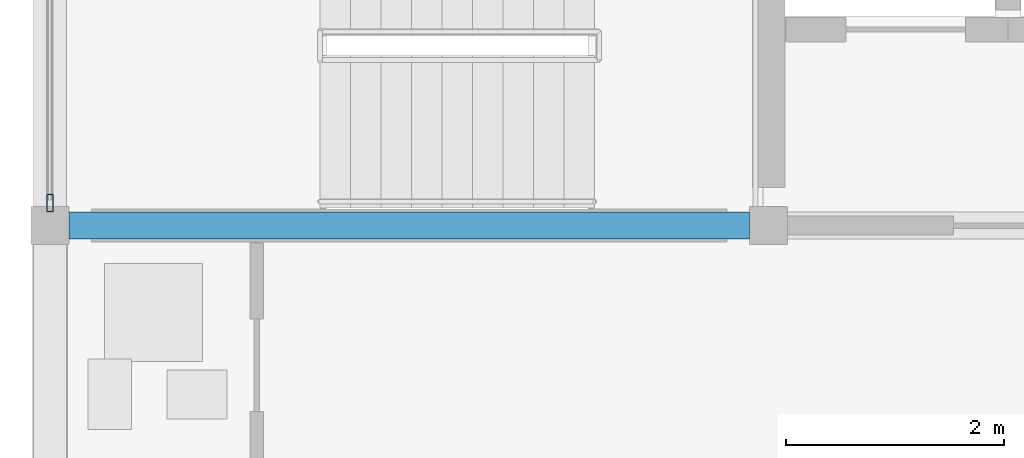
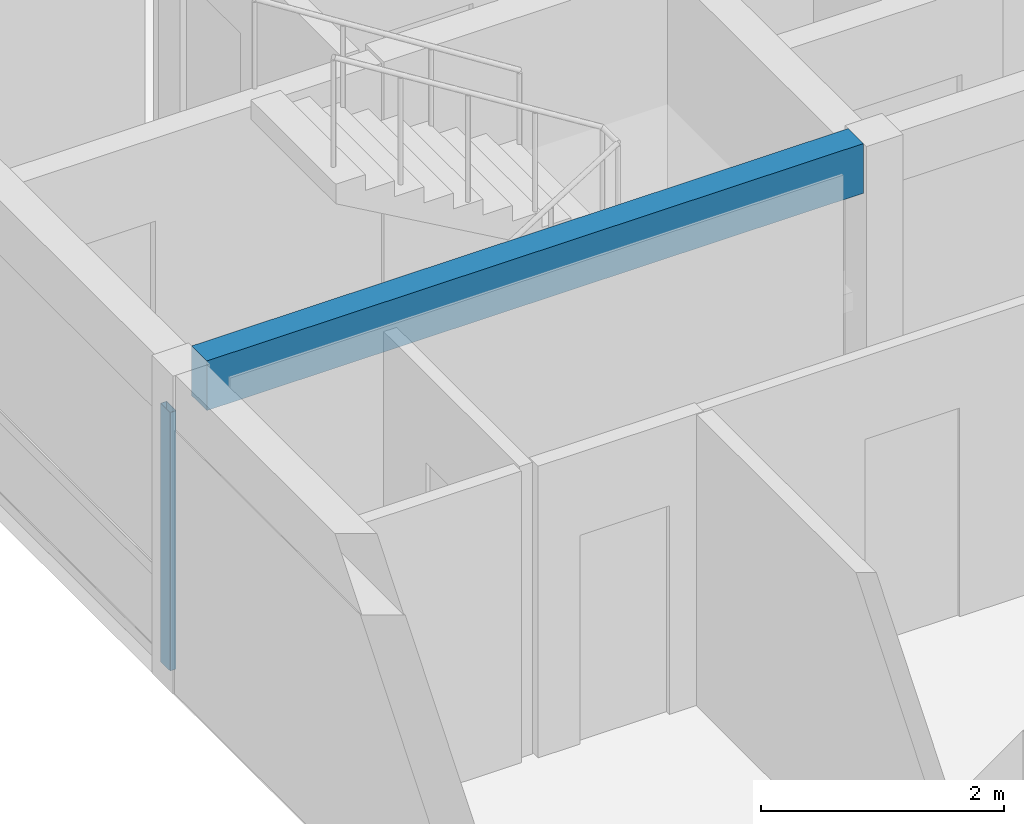
# One storey, part 4 of 53: 1 beam, 1 member, 1 element without a shape of its own.
"""IFC4 building model written with IfcOpenShell, lengths in metres."""

from ifc_helpers import new_model, si_unit, direction, frame, origin, origin_2d, place, context, subcontext, project, spatial, rectangle, hollow_rectangle, extrude, material, material_profile, profile_set, type_object, element, aggregate, save


model = new_model("IFC4")

# Units and contexts
model_context = context("Model", 3, precision=1e-05, world=origin(), true_north=direction((0.0, 1.0)))
body_context = subcontext(model_context, "Body", "Model", "MODEL_VIEW")
ifc_project = project(units=[si_unit("LENGTHUNIT", "METRE"), si_unit("AREAUNIT", "SQUARE_METRE"), si_unit("VOLUMEUNIT", "CUBIC_METRE"), si_unit("PLANEANGLEUNIT", "RADIAN"), si_unit("MASSUNIT", "GRAM", prefix="KILO")], contexts=[model_context])

# Site, building, storey
site_placement = place(None, origin())
site = spatial("IfcSite", under=ifc_project, at=site_placement, CompositionType="ELEMENT")
building_placement = place(site_placement, origin())
building = spatial("IfcBuilding", under=site, at=building_placement, Name="Kernevlak Ridge Housing Community", CompositionType="ELEMENT")
storey_placement = place(building_placement, frame((0.0, 0.0, 24.39990234375)))
storey = spatial("IfcBuildingStorey", under=building, at=storey_placement, Name="L07", CompositionType="ELEMENT", Elevation=24.39990234375)

# Beam
ifc_material_1 = material(Name="Concrete C35/45", Category="concrete")
ifc_material_profile_1 = material_profile(ifc_material_1, rectangle(XDim=0.25, YDim=0.5, at=origin_2d()), Name="RC 250x500")
ifc_profile_set_1 = profile_set([ifc_material_profile_1], Name="Concrete C35/45")
beam_type = type_object("IfcBeamType", Name="B-06", PredefinedType="T_BEAM", material=ifc_profile_set_1)
beam_placement = place(storey_placement, frame((15.77490234375, 22.199951171875, 2.9501953125), z_axis=(1.0, 0.0, 0.0), x_axis=(0.0, 1.0, 0.0)))
element("IfcBeam", 1, at=beam_placement, inside=storey, type_object=beam_type, Name="Beam B-06 L07 1480", PredefinedType="T_BEAM", context=body_context, shape_type="SweptSolid", body=[
    extrude(rectangle(XDim=0.25, YDim=0.5, at=origin_2d()), origin(), (0.0, 0.0, 1.0), 6.25),
])

# Curtain wall, member
ifc_material_2 = material(Name="Aluminium EN AW-6060 anodised and laminated glass", Category="aluminium")
curtain_wall_type = type_object("IfcCurtainWallType", Name="CW-10", PredefinedType="NOTDEFINED", material=ifc_material_2)
curtain_wall_placement = place(storey_placement, origin())
curtain_wall = element("IfcCurtainWall", 2, at=curtain_wall_placement, inside=storey, type_object=curtain_wall_type, Name="Curtain wall CW-10 CW-L07-160", PredefinedType="NOTDEFINED")
ifc_material_3 = material(Name="Aluminium EN AW-6060 anodised", Category="aluminium")
ifc_material_profile_2 = material_profile(ifc_material_3, hollow_rectangle(XDim=0.06005859375, YDim=0.159912109375, WallThickness=0.00390625, InnerFilletRadius=0.001953125, OuterFilletRadius=0.00390625, at=origin_2d()), Name="ALU 60x160x4")
ifc_profile_set_2 = profile_set([ifc_material_profile_2], Name="Aluminium EN AW-6060 anodised")
member_type = type_object("IfcMemberType", Name="MU-02", PredefinedType="MULLION", material=ifc_profile_set_2)
member_placement = place(storey_placement, frame((15.60009765625, 22.405029296875, 0.0), z_axis=(0.0, 0.0, 1.0), x_axis=(-1.0, 0.0, 0.0)))
member = element("IfcMember", 3, at=member_placement, type_object=member_type, Name="CW-10 mullion 1", PredefinedType="MULLION", context=body_context, shape_type="SweptSolid", body=[
    extrude(hollow_rectangle(XDim=0.06005859375, YDim=0.159912109375, WallThickness=0.00390625, InnerFilletRadius=0.001953125, OuterFilletRadius=0.00390625, at=origin_2d()), origin(), (0.0, 0.0, 1.0), 2.60009765625),
])
aggregate(curtain_wall, [member])

save(model, "model.ifc")
